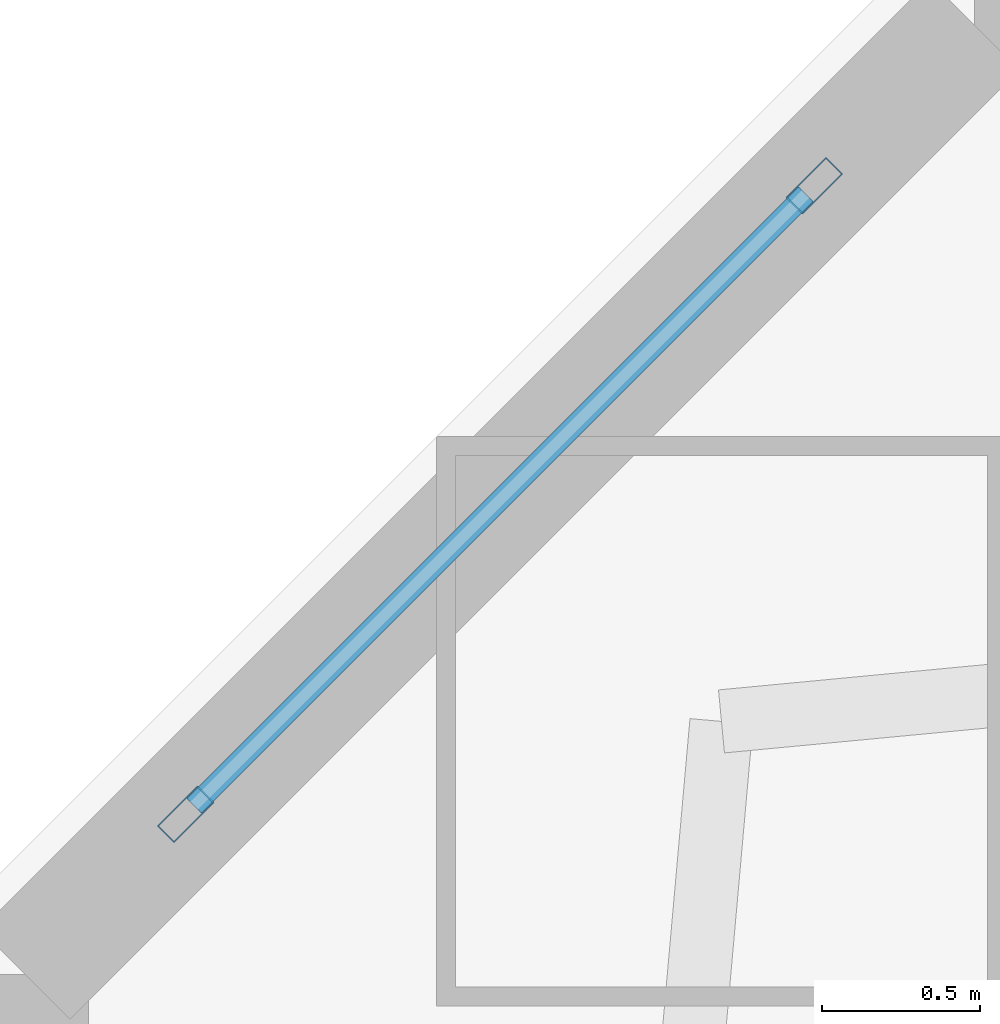
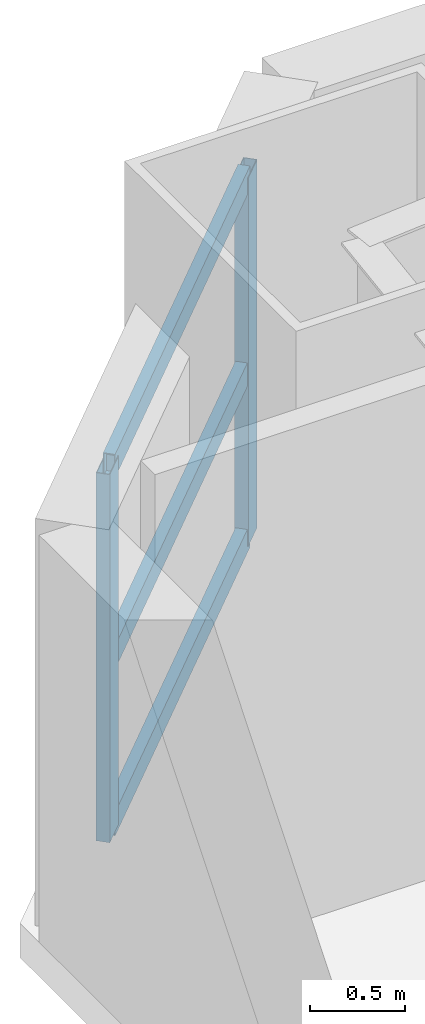
# One storey, part 4 of 19: 5 members, 1 element without a shape of its own.
"""IFC4 building model written with IfcOpenShell, lengths in metres."""

from ifc_helpers import new_model, si_unit, direction, frame, origin, origin_2d, place, context, subcontext, project, spatial, hollow_rectangle, extrude, material, layer, layer_set, material_profile, profile_set, type_object, element, aggregate, save


model = new_model("IFC4")

# Units and contexts
model_context = context("Model", 3, precision=1e-05, world=origin(), true_north=direction((0.0, 1.0)))
body_context = subcontext(model_context, "Body", "Model", "MODEL_VIEW")
ifc_project = project(units=[si_unit("LENGTHUNIT", "METRE"), si_unit("AREAUNIT", "SQUARE_METRE"), si_unit("VOLUMEUNIT", "CUBIC_METRE"), si_unit("PLANEANGLEUNIT", "RADIAN"), si_unit("MASSUNIT", "GRAM", prefix="KILO")], contexts=[model_context])

# Site, building, storey
site_placement = place(None, origin())
site = spatial("IfcSite", under=ifc_project, at=site_placement, CompositionType="ELEMENT")
building_placement = place(site_placement, origin())
building = spatial("IfcBuilding", under=site, at=building_placement, Name="Qiaolan Cultural Towers", CompositionType="ELEMENT")
storey_placement = place(building_placement, frame((0.0, 0.0, 54.050048828125)))
storey = spatial("IfcBuildingStorey", under=building, at=storey_placement, Name="L12", CompositionType="ELEMENT", Elevation=54.050048828125)

# Curtain wall, members
ifc_material_1 = material(Name="Unitized Anodized Aluminium Curtain Wall System", Category="aluminium")
ifc_layer = layer(ifc_material_1, 0.199951171875)
ifc_layer_set = layer_set([ifc_layer], Name="Unitized Anodized Aluminium Curtain Wall System")
curtain_wall_type = type_object("IfcCurtainWallType", Name="CWS-02", PredefinedType="NOTDEFINED", material=ifc_layer_set)
curtain_wall_placement = place(storey_placement, origin())
curtain_wall = element("IfcCurtainWall", 1, at=curtain_wall_placement, inside=storey, type_object=curtain_wall_type, Name="L12 T1 Chamfer Wind-Corner Feature Curtain Wall 1", PredefinedType="NOTDEFINED")
ifc_material_2 = material(Name="Extruded Aluminium 6063-T6", Category="aluminium")
ifc_material_profile_1 = material_profile(ifc_material_2, hollow_rectangle(XDim=0.074951171875, YDim=0.179931640625, WallThickness=0.00390625, at=origin_2d()), Name="CWM-180x75x4")
ifc_profile_set_1 = profile_set([ifc_material_profile_1], Name="Extruded Aluminium 6063-T6")
member_type_1 = type_object("IfcMemberType", Name="CWS-02-MUL", PredefinedType="MULLION", material=ifc_profile_set_1)
member_1_placement = place(storey_placement, frame((10.906494140625, 61.306396484375, 0.14990234375), z_axis=(0.0, 0.0, 1.0), x_axis=(-0.707106781187, 0.707106781187, 0.0)))
member_1 = element("IfcMember", 2, at=member_1_placement, type_object=member_type_1, Name="CW-2 mullion 1", PredefinedType="MULLION", context=body_context, shape_type="SweptSolid", body=[
    extrude(hollow_rectangle(XDim=0.074951171875, YDim=0.179931640625, WallThickness=0.00390625, at=origin_2d()), origin(), (0.0, 0.0, 1.0), 2.360107421875),
])
member_2_placement = place(storey_placement, frame((12.8935546875, 63.29345703125, 0.14990234375), z_axis=(0.0, 0.0, 1.0), x_axis=(-0.707106781187, 0.707106781187, 0.0)))
member_2 = element("IfcMember", 3, at=member_2_placement, type_object=member_type_1, Name="CW-2 mullion 2", PredefinedType="MULLION", context=body_context, shape_type="SweptSolid", body=[
    extrude(hollow_rectangle(XDim=0.074951171875, YDim=0.179931640625, WallThickness=0.00390625, at=origin_2d()), origin(), (0.0, 0.0, 1.0), 2.360107421875),
])
ifc_material_3 = material(Name="Extruded Aluminium 6063-T6", Category="aluminium")
ifc_material_profile_2 = material_profile(ifc_material_3, hollow_rectangle(XDim=0.06494140625, YDim=0.14990234375, WallThickness=0.00390625, at=origin_2d()), Name="CWT-150x65x4")
ifc_profile_set_2 = profile_set([ifc_material_profile_2], Name="Extruded Aluminium 6063-T6")
member_type_2 = type_object("IfcMemberType", Name="CWS-02-TRN", PredefinedType="USERDEFINED", material=ifc_profile_set_2)
member_3_placement = place(storey_placement, frame((10.93310546875, 61.3330078125, 0.182373046875), z_axis=(0.707106781187, 0.707106781187, 0.0), x_axis=(-0.707106781187, 0.707106781187, 0.0)))
member_3 = element("IfcMember", 4, at=member_3_placement, type_object=member_type_2, Name="CW-2 transom 1.1", ObjectType="TRANSOM", PredefinedType="USERDEFINED", context=body_context, shape_type="SweptSolid", body=[
    extrude(hollow_rectangle(XDim=0.06494140625, YDim=0.14990234375, WallThickness=0.00390625, at=origin_2d()), origin(), (0.0, 0.0, 1.0), 2.73486328125),
])
member_4_placement = place(storey_placement, frame((10.93310546875, 61.3330078125, 1.25), z_axis=(0.707106781187, 0.707106781187, 0.0), x_axis=(-0.707106781187, 0.707106781187, 0.0)))
member_4 = element("IfcMember", 5, at=member_4_placement, type_object=member_type_2, Name="CW-2 transom 1.2", ObjectType="TRANSOM", PredefinedType="USERDEFINED", context=body_context, shape_type="SweptSolid", body=[
    extrude(hollow_rectangle(XDim=0.06494140625, YDim=0.14990234375, WallThickness=0.00390625, at=origin_2d()), origin(), (0.0, 0.0, 1.0), 2.73486328125),
])
member_5_placement = place(storey_placement, frame((10.93310546875, 61.3330078125, 2.4775390625), z_axis=(0.707106781187, 0.707106781187, 0.0), x_axis=(-0.707106781187, 0.707106781187, 0.0)))
member_5 = element("IfcMember", 6, at=member_5_placement, type_object=member_type_2, Name="CW-2 transom 1.3", ObjectType="TRANSOM", PredefinedType="USERDEFINED", context=body_context, shape_type="SweptSolid", body=[
    extrude(hollow_rectangle(XDim=0.06494140625, YDim=0.14990234375, WallThickness=0.00390625, at=origin_2d()), origin(), (0.0, 0.0, 1.0), 2.73486328125),
])
aggregate(curtain_wall, [member_1, member_2, member_3, member_4, member_5])

save(model, "model.ifc")
